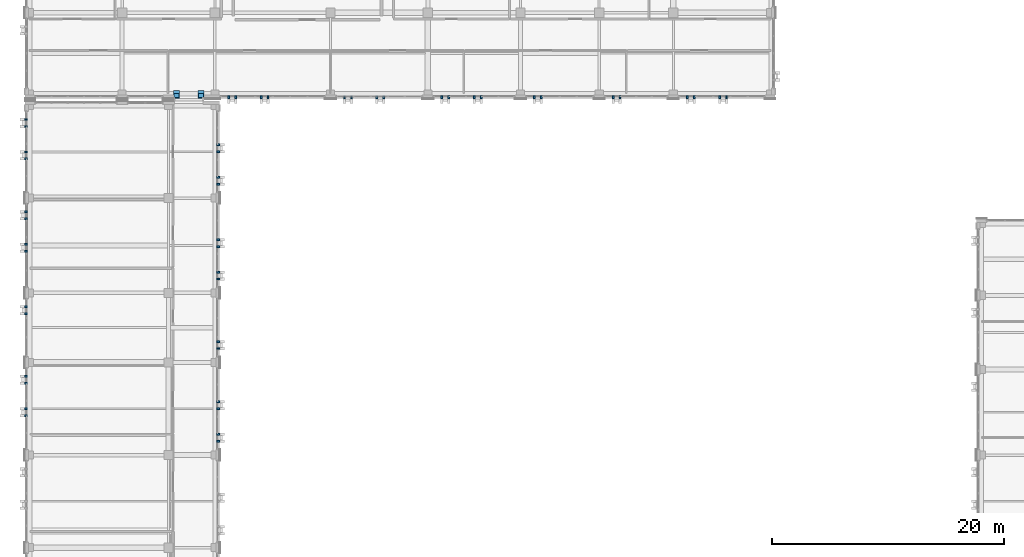
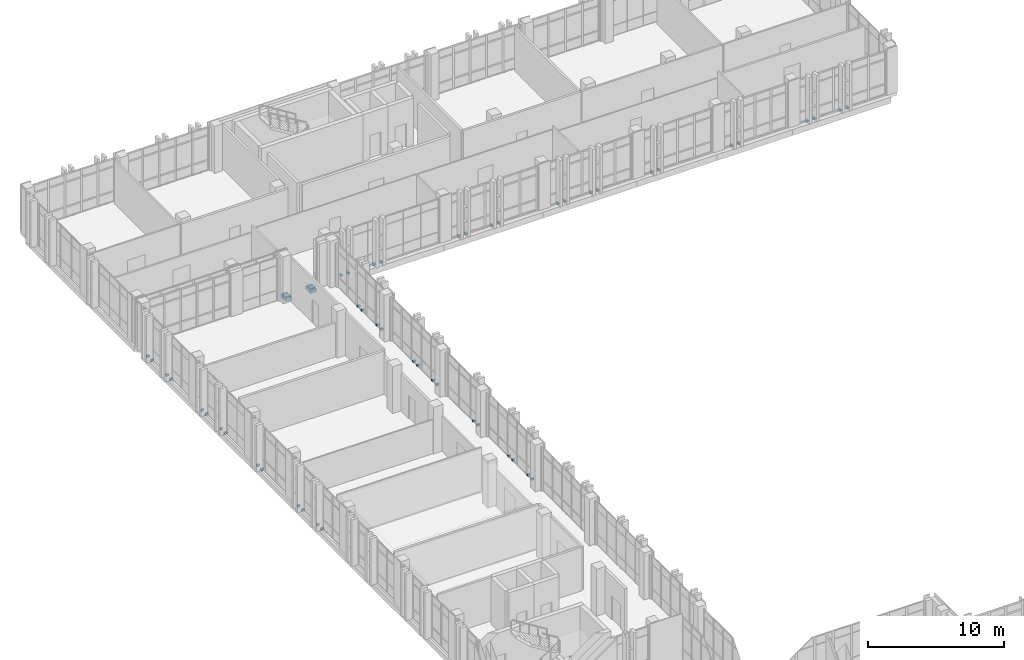
# One storey, part 168 of 193: 52 discrete accessories.
"""IFC4 building model written with IfcOpenShell, lengths in metres."""

from ifc_helpers import new_model, si_unit, direction, frame, origin, origin_2d, place, context, subcontext, project, spatial, rectangle, extrude, material, type_object, element, save


model = new_model("IFC4")

# Units and contexts
model_context = context("Model", 3, precision=1e-05, world=origin(), true_north=direction((0.0, 1.0)))
body_context = subcontext(model_context, "Body", "Model", "MODEL_VIEW")
ifc_project = project(units=[si_unit("LENGTHUNIT", "METRE"), si_unit("AREAUNIT", "SQUARE_METRE"), si_unit("VOLUMEUNIT", "CUBIC_METRE"), si_unit("PLANEANGLEUNIT", "RADIAN"), si_unit("MASSUNIT", "GRAM", prefix="KILO")], contexts=[model_context])

# Site, building, storey
site_placement = place(None, origin())
site = spatial("IfcSite", under=ifc_project, at=site_placement, CompositionType="ELEMENT")
building_placement = place(site_placement, origin())
building = spatial("IfcBuilding", under=site, at=building_placement, Name="Qalavern Law Courts", CompositionType="ELEMENT")
storey_placement = place(building_placement, frame((0.0, 0.0, 10.199951171875)))
storey = spatial("IfcBuildingStorey", under=building, at=storey_placement, Name="L02", CompositionType="ELEMENT", Elevation=10.199951171875)

# Discrete accessories
ifc_material_1 = material(Name="Steel S355", Category="steel")
discrete_accessory_type_1 = type_object("IfcDiscreteAccessoryType", Name="ENV-BRK-FIN", PredefinedType="BRACKET", material=ifc_material_1)
for number, where, z_axis, x_axis, name in (
    (1, (18.705078125, 66.60009765625, -0.06982421875), (0.0, 0.0, 1.0), (1.0, 0.0, 0.0), "Stone blade anchor bracket 0261"),
    (2, (18.705078125, 67.199951171875, -0.06982421875), (0.0, 0.0, 1.0), (1.0, 0.0, 0.0), "Stone blade anchor bracket 0262"),
    (3, (18.705078125, 69.39990234375, -0.06982421875), (0.0, 0.0, 1.0), (1.0, 0.0, 0.0), "Stone blade anchor bracket 0263"),
    (4, (18.705078125, 70.0, -0.06982421875), (0.0, 0.0, 1.0), (1.0, 0.0, 0.0), "Stone blade anchor bracket 0264"),
    (5, (18.705078125, 74.60009765625, -0.06982421875), (0.0, 0.0, 1.0), (1.0, 0.0, 0.0), "Stone blade anchor bracket 0265"),
    (6, (18.705078125, 75.199951171875, -0.06982421875), (0.0, 0.0, 1.0), (1.0, 0.0, 0.0), "Stone blade anchor bracket 0266"),
    (7, (18.705078125, 80.60009765625, -0.06982421875), (0.0, 0.0, 1.0), (1.0, 0.0, 0.0), "Stone blade anchor bracket 0267"),
    (8, (18.705078125, 81.199951171875, -0.06982421875), (0.0, 0.0, 1.0), (1.0, 0.0, 0.0), "Stone blade anchor bracket 0268"),
    (9, (18.705078125, 83.39990234375, -0.06982421875), (0.0, 0.0, 1.0), (1.0, 0.0, 0.0), "Stone blade anchor bracket 0269"),
    (10, (18.705078125, 84.0, -0.06982421875), (0.0, 0.0, 1.0), (1.0, 0.0, 0.0), "Stone blade anchor bracket 0270"),
    (11, (18.705078125, 88.800048828125, -0.06982421875), (0.0, 0.0, 1.0), (1.0, 0.0, 0.0), "Stone blade anchor bracket 0271"),
    (12, (18.705078125, 89.39990234375, -0.06982421875), (0.0, 0.0, 1.0), (1.0, 0.0, 0.0), "Stone blade anchor bracket 0272"),
    (13, (18.705078125, 91.60009765625, -0.06982421875), (0.0, 0.0, 1.0), (1.0, 0.0, 0.0), "Stone blade anchor bracket 0273"),
    (14, (18.705078125, 92.199951171875, -0.06982421875), (0.0, 0.0, 1.0), (1.0, 0.0, 0.0), "Stone blade anchor bracket 0274"),
    (15, (2.094970703125, 94.3798828125, -0.06982421875), (0.0, 0.0, 1.0), (-1.0, 0.0, 0.0), "Stone blade anchor bracket 0275"),
    (16, (2.094970703125, 93.780029296875, -0.06982421875), (0.0, 0.0, 1.0), (-1.0, 0.0, 0.0), "Stone blade anchor bracket 0276"),
    (17, (2.094970703125, 91.580078125, -0.06982421875), (0.0, 0.0, 1.0), (-1.0, 0.0, 0.0), "Stone blade anchor bracket 0277"),
    (18, (2.094970703125, 90.97998046875, -0.06982421875), (0.0, 0.0, 1.0), (-1.0, 0.0, 0.0), "Stone blade anchor bracket 0278"),
    (19, (2.094970703125, 86.39990234375, -0.06982421875), (0.0, 0.0, 1.0), (-1.0, 0.0, 0.0), "Stone blade anchor bracket 0279"),
    (20, (2.094970703125, 85.800048828125, -0.06982421875), (0.0, 0.0, 1.0), (-1.0, 0.0, 0.0), "Stone blade anchor bracket 0280"),
    (21, (2.094970703125, 83.60009765625, -0.06982421875), (0.0, 0.0, 1.0), (-1.0, 0.0, 0.0), "Stone blade anchor bracket 0281"),
    (22, (2.094970703125, 83.0, -0.06982421875), (0.0, 0.0, 1.0), (-1.0, 0.0, 0.0), "Stone blade anchor bracket 0282"),
    (23, (2.094970703125, 78.199951171875, -0.06982421875), (0.0, 0.0, 1.0), (-1.0, 0.0, 0.0), "Stone blade anchor bracket 0283"),
    (24, (2.094970703125, 77.60009765625, -0.06982421875), (0.0, 0.0, 1.0), (-1.0, 0.0, 0.0), "Stone blade anchor bracket 0284"),
    (25, (2.094970703125, 72.199951171875, -0.06982421875), (0.0, 0.0, 1.0), (-1.0, 0.0, 0.0), "Stone blade anchor bracket 0285"),
    (26, (2.094970703125, 71.60009765625, -0.06982421875), (0.0, 0.0, 1.0), (-1.0, 0.0, 0.0), "Stone blade anchor bracket 0286"),
    (27, (2.094970703125, 69.39990234375, -0.06982421875), (0.0, 0.0, 1.0), (-1.0, 0.0, 0.0), "Stone blade anchor bracket 0287"),
    (28, (2.094970703125, 68.800048828125, -0.06982421875), (0.0, 0.0, 1.0), (-1.0, 0.0, 0.0), "Stone blade anchor bracket 0288"),
    (29, (19.60009765625, 96.294921875, -0.06982421875), (0.0, 0.0, 1.0), (0.0, -1.0, 0.0), "Stone blade anchor bracket 0953"),
    (30, (20.199951171875, 96.294921875, -0.06982421875), (0.0, 0.0, 1.0), (0.0, -1.0, 0.0), "Stone blade anchor bracket 0954"),
    (31, (22.39990234375, 96.294921875, -0.06982421875), (0.0, 0.0, 1.0), (0.0, -1.0, 0.0), "Stone blade anchor bracket 0955"),
    (32, (23.0, 96.294921875, -0.06982421875), (0.0, 0.0, 1.0), (0.0, -1.0, 0.0), "Stone blade anchor bracket 0956"),
    (33, (29.60009765625, 96.294921875, -0.06982421875), (0.0, 0.0, 1.0), (0.0, -1.0, 0.0), "Stone blade anchor bracket 0957"),
    (34, (30.199951171875, 96.294921875, -0.06982421875), (0.0, 0.0, 1.0), (0.0, -1.0, 0.0), "Stone blade anchor bracket 0958"),
    (35, (32.39990234375, 96.294921875, -0.06982421875), (0.0, 0.0, 1.0), (0.0, -1.0, 0.0), "Stone blade anchor bracket 0959"),
    (36, (33.0, 96.294921875, -0.06982421875), (0.0, 0.0, 1.0), (0.0, -1.0, 0.0), "Stone blade anchor bracket 0960"),
    (37, (38.0, 96.294921875, -0.06982421875), (0.0, 0.0, 1.0), (0.0, -1.0, 0.0), "Stone blade anchor bracket 0961"),
    (38, (38.60009765625, 96.294921875, -0.06982421875), (0.0, 0.0, 1.0), (0.0, -1.0, 0.0), "Stone blade anchor bracket 0962"),
    (39, (40.800048828125, 96.294921875, -0.06982421875), (0.0, 0.0, 1.0), (0.0, -1.0, 0.0), "Stone blade anchor bracket 0963"),
    (40, (41.39990234375, 96.294921875, -0.06982421875), (0.0, 0.0, 1.0), (0.0, -1.0, 0.0), "Stone blade anchor bracket 0964"),
    (41, (46.0, 96.294921875, -0.06982421875), (0.0, 0.0, 1.0), (0.0, -1.0, 0.0), "Stone blade anchor bracket 0965"),
    (42, (46.60009765625, 96.294921875, -0.06982421875), (0.0, 0.0, 1.0), (0.0, -1.0, 0.0), "Stone blade anchor bracket 0966"),
    (43, (52.800048828125, 96.294921875, -0.06982421875), (0.0, 0.0, 1.0), (0.0, -1.0, 0.0), "Stone blade anchor bracket 0967"),
    (44, (53.39990234375, 96.294921875, -0.06982421875), (0.0, 0.0, 1.0), (0.0, -1.0, 0.0), "Stone blade anchor bracket 0968"),
    (45, (59.199951171875, 96.294921875, -0.06982421875), (0.0, 0.0, 1.0), (0.0, -1.0, 0.0), "Stone blade anchor bracket 0969"),
    (46, (59.800048828125, 96.294921875, -0.06982421875), (0.0, 0.0, 1.0), (0.0, -1.0, 0.0), "Stone blade anchor bracket 0970"),
    (47, (62.0, 96.294921875, -0.06982421875), (0.0, 0.0, 1.0), (0.0, -1.0, 0.0), "Stone blade anchor bracket 0971"),
    (48, (62.60009765625, 96.294921875, -0.06982421875), (0.0, 0.0, 1.0), (0.0, -1.0, 0.0), "Stone blade anchor bracket 0972"),
):
    element("IfcDiscreteAccessory", number, at=place(storey_placement, frame(where, z_axis=z_axis, x_axis=x_axis)), inside=storey, type_object=discrete_accessory_type_1, Name=name, PredefinedType="BRACKET", context=body_context, shape_type="SweptSolid", body=[
        extrude(rectangle(XDim=0.239990234375, YDim=0.159912109375, at=origin_2d()), origin(), (0.0, 0.0, 1.0), 0.179931640625),
    ])
ifc_material_2 = material(Name="Concrete C45/55", Category="concrete")
discrete_accessory_type_2 = type_object("IfcDiscreteAccessoryType", Name="STR-CORBEL-700", PredefinedType="BRACKET", material=ifc_material_2)
for number, where, z_axis, x_axis, name in (
    (49, (15.10009765625, 96.550048828125, -0.68994140625), (0.0, 0.0, 1.0), (1.0, 0.0, 0.0), "Bridge BR-V3-V5 700 mm corbel seat 1 L02"),
    (50, (17.199951171875, 96.550048828125, -0.68994140625), (0.0, 0.0, 1.0), (1.0, 0.0, 0.0), "Bridge BR-V3-V5 700 mm corbel seat 2 L02"),
):
    element("IfcDiscreteAccessory", number, at=place(storey_placement, frame(where, z_axis=z_axis, x_axis=x_axis)), inside=storey, type_object=discrete_accessory_type_2, Name=name, PredefinedType="BRACKET", context=body_context, shape_type="SweptSolid", body=[
        extrude(rectangle(XDim=0.5, YDim=0.699951171875, at=origin_2d()), origin(), (0.0, 0.0, 1.0), 0.320068359375),
    ])
discrete_accessory_type_3 = type_object("IfcDiscreteAccessoryType", Name="STR-SHOE-PTFE350", PredefinedType="SHOE", material=ifc_material_1)
for number, where, z_axis, x_axis, name in (
    (51, (15.10009765625, 96.449951171875, -0.369873046875), (0.0, 0.0, 1.0), (1.0, 0.0, 0.0), "Seismic bridge PTFE sliding bearing 49"),
    (52, (17.199951171875, 96.449951171875, -0.369873046875), (0.0, 0.0, 1.0), (1.0, 0.0, 0.0), "Seismic bridge PTFE sliding bearing 50"),
):
    element("IfcDiscreteAccessory", number, at=place(storey_placement, frame(where, z_axis=z_axis, x_axis=x_axis)), inside=storey, type_object=discrete_accessory_type_3, Name=name, PredefinedType="SHOE", context=body_context, shape_type="SweptSolid", body=[
        extrude(rectangle(XDim=0.449951171875, YDim=0.35009765625, at=origin_2d()), origin(), (0.0, 0.0, 1.0), 0.080078125),
    ])

save(model, "model.ifc")
